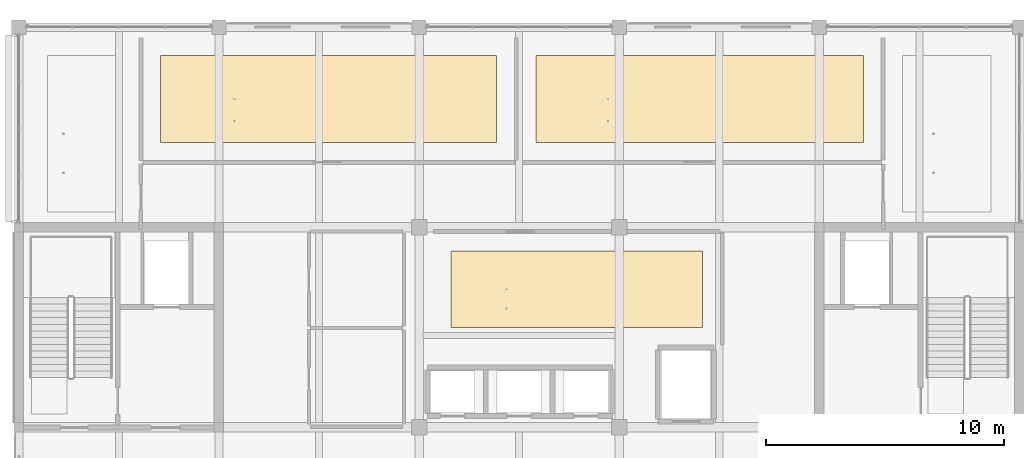
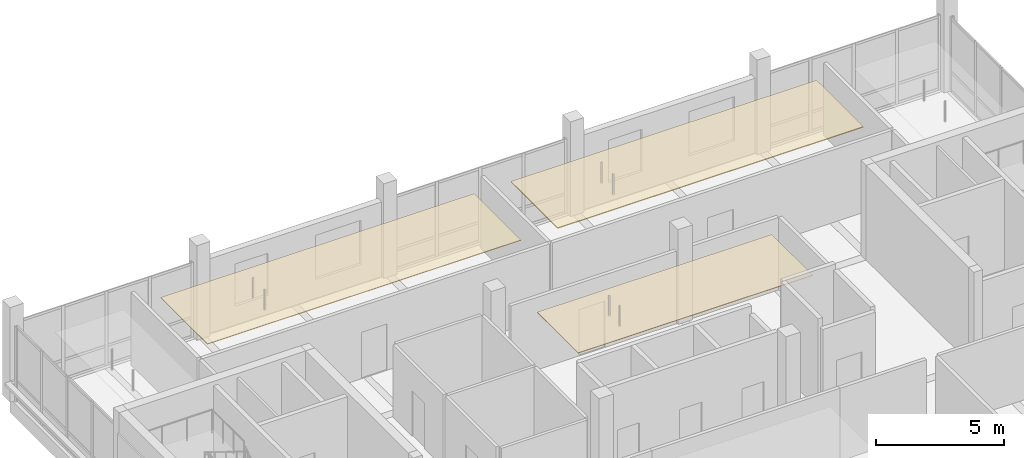
# One storey, part 26 of 30: 3 coverings.
"""IFC4 building model written with IfcOpenShell, lengths in metres."""

from ifc_helpers import new_model, si_unit, direction, frame, origin, place, context, subcontext, project, spatial, polyline, outline, extrude, material, layer, layer_set, type_object, element, save


model = new_model("IFC4")

# Units and contexts
model_context = context("Model", 3, precision=1e-05, world=origin(), true_north=direction((0.0, 1.0)))
body_context = subcontext(model_context, "Body", "Model", "MODEL_VIEW")
ifc_project = project(units=[si_unit("LENGTHUNIT", "METRE"), si_unit("AREAUNIT", "SQUARE_METRE"), si_unit("VOLUMEUNIT", "CUBIC_METRE"), si_unit("PLANEANGLEUNIT", "RADIAN"), si_unit("MASSUNIT", "GRAM", prefix="KILO")], contexts=[model_context])

# Site, building, storey
site_placement = place(None, origin())
site = spatial("IfcSite", under=ifc_project, at=site_placement, CompositionType="ELEMENT")
building_placement = place(site_placement, origin())
building = spatial("IfcBuilding", under=site, at=building_placement, Name="Telukmera Botanical Conservatory", CompositionType="ELEMENT")
storey_placement = place(building_placement, frame((0.0, 0.0, 60.0)))
storey = spatial("IfcBuildingStorey", under=building, at=storey_placement, Name="L13", CompositionType="ELEMENT", Elevation=60.0)

# Coverings
ifc_material_1 = material(Name="Mineral fibre acoustic ceiling")
ifc_layer_1 = layer(ifc_material_1, 0.030029296875)
ifc_layer_set_1 = layer_set([ifc_layer_1], Name="Mineral fibre acoustic ceiling")
covering_type_1 = type_object("IfcCoveringType", Name="COV-CEIL-30", PredefinedType="CEILING", material=ifc_layer_set_1)
covering_1_placement = place(storey_placement, frame((0.0, 0.0, 3.320068359375)))
element("IfcCovering", 1, at=covering_1_placement, inside=storey, type_object=covering_type_1, Name="L13 Herbarium DNA Barcoding Room Suspended Acoustic Ceiling", PredefinedType="CEILING", context=body_context, shape_type="SweptSolid", body=[
    extrude(outline(polyline([(76.949951171875, 30.199951171875), (87.5, 30.199951171875), (87.5, 33.39990234375), (76.949951171875, 33.39990234375), (76.949951171875, 30.199951171875)])), origin(), (0.0, 0.0, 1.0), 0.030029296875),
])
covering_2_placement = place(storey_placement, frame((0.0, 0.0, 3.320068359375)))
element("IfcCovering", 2, at=covering_2_placement, inside=storey, type_object=covering_type_1, Name="L13 Pollination Biology Laboratory Suspended Acoustic Ceiling", PredefinedType="CEILING", context=body_context, shape_type="SweptSolid", body=[
    extrude(outline(polyline([(64.75, 37.949951171875), (78.85009765625, 37.949951171875), (78.85009765625, 41.60009765625), (64.75, 41.60009765625), (64.75, 37.949951171875)])), origin(), (0.0, 0.0, 1.0), 0.030029296875),
])
ifc_material_2 = material(Name="Perforated gypsum acoustic ceiling")
ifc_layer_2 = layer(ifc_material_2, 0.0400390625)
ifc_layer_set_2 = layer_set([ifc_layer_2], Name="Perforated gypsum acoustic ceiling")
covering_type_2 = type_object("IfcCoveringType", Name="COV-CEIL-40", PredefinedType="CEILING", material=ifc_layer_set_2)
covering_3_placement = place(storey_placement, frame((0.0, 0.0, 3.31005859375)))
element("IfcCovering", 3, at=covering_3_placement, inside=storey, type_object=covering_type_2, Name="L13 Seed Dispersal Research Laboratory Suspended Acoustic Ceiling", PredefinedType="CEILING", context=body_context, shape_type="SweptSolid", body=[
    extrude(outline(polyline([(80.5, 37.949951171875), (94.25, 37.949951171875), (94.25, 41.60009765625), (80.5, 41.60009765625), (80.5, 37.949951171875)])), origin(), (0.0, 0.0, 1.0), 0.0400390625),
])

save(model, "model.ifc")
